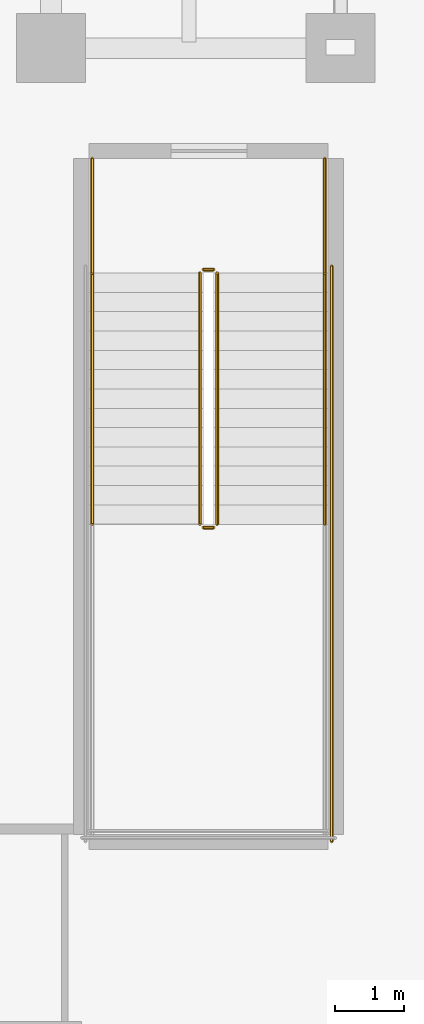
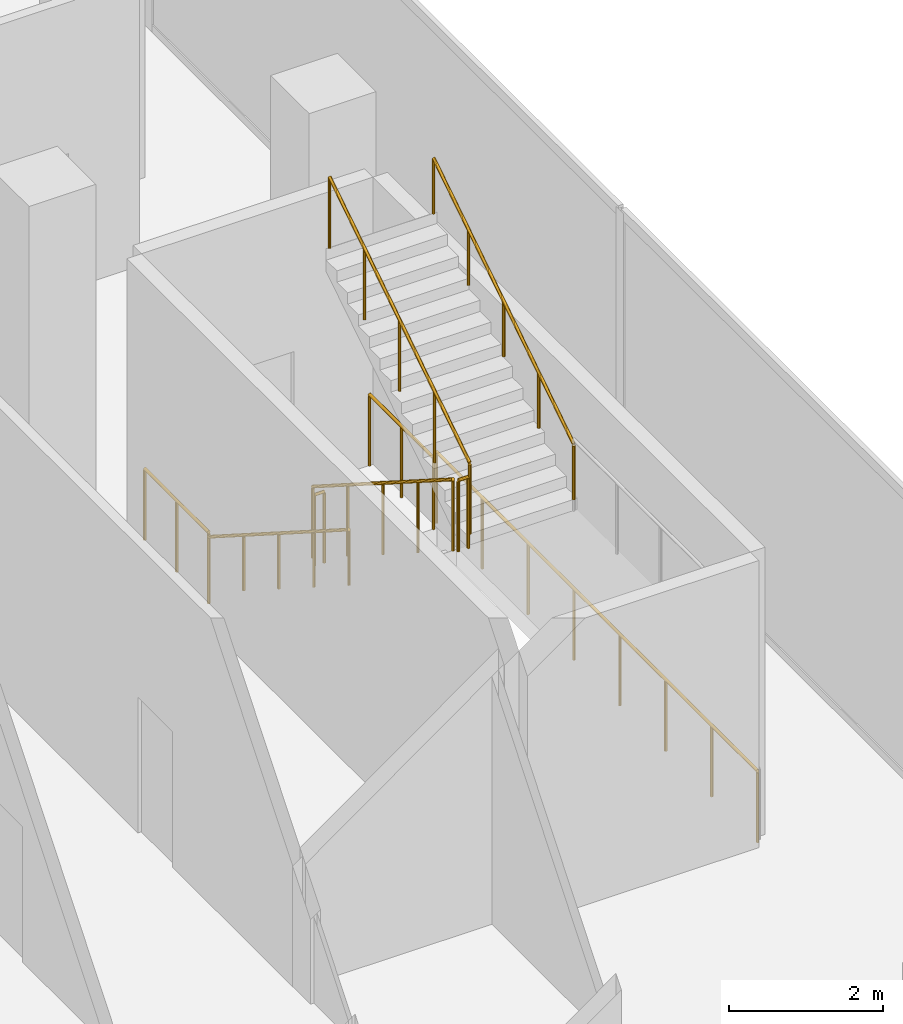
# One storey, part 31 of 32: 9 railings.
"""IFC4 building model written with IfcOpenShell, lengths in metres."""

import ifcopenshell
import ifcopenshell.guid

model = None  # the IFC model being written
_history = None  # IfcOwnerHistory: only IFC2X3 demands one
_inside = {}  # id of a spatial element -> (the spatial element, [elements in it])
_under = {}  # id of a project, library or spatial element -> (it, [spatial elements below it])
_declared = {}  # id of a project -> (the project, [libraries it declares])
_typed = {}  # id of a type object -> (the type object, [elements of that type])
_made_of = {}  # id of a material, layer set ... -> (it, [elements and type objects made of it])


def new_model(schema):
    """Start an empty IFC model of exactly this schema.

    Asked for "IFC4X3", IfcOpenShell would pick the latest addendum, in which some entities
    have other attributes; the version numbers below select the first issue.
    IFC2X3 requires an IfcOwnerHistory on every rooted entity: one is made here for all.
    """
    global model, _history
    if schema == "IFC4X3":
        model = ifcopenshell.file(schema_version=(4, 3, 0, 0))
    else:
        model = ifcopenshell.file(schema=schema)
    _inside.clear()
    _under.clear()
    _declared.clear()
    _typed.clear()
    _made_of.clear()
    _history = None
    if model.schema == "IFC2X3":
        org = make("IfcOrganization", Name="unknown")
        user = make(
            "IfcPersonAndOrganization",
            ThePerson=make("IfcPerson", FamilyName="unknown"),
            TheOrganization=org,
        )
        app = make(
            "IfcApplication",
            ApplicationDeveloper=org,
            Version="unknown",
            ApplicationFullName="unknown",
            ApplicationIdentifier="unknown",
        )
        _history = make(
            "IfcOwnerHistory",
            OwningUser=user,
            OwningApplication=app,
            ChangeAction="ADDED",
            CreationDate=0,
        )
    return model


def make(cls, **values):
    """One entity of the class cls with the attributes given. An attribute that is None is left unset."""
    return model.create_entity(
        cls, **{name: value for name, value in values.items() if value is not None}
    )


def rooted(cls, **values):
    """An entity with a GlobalId (a new one), such as an element, a storey or a relation."""
    return make(cls, GlobalId=ifcopenshell.guid.new(), OwnerHistory=_history, **values)


def si_unit(unit_type, name, prefix=None):
    """IfcSIUnit, for example si_unit("LENGTHUNIT", "METRE", prefix="MILLI")."""
    return make("IfcSIUnit", UnitType=unit_type, Prefix=prefix, Name=name)


def assignment(units):
    """IfcUnitAssignment: the units of a project."""
    return None if units is None else make("IfcUnitAssignment", Units=units)


def point(xyz):
    """IfcCartesianPoint."""
    return None if xyz is None else make("IfcCartesianPoint", Coordinates=xyz)


def direction(xyz):
    """IfcDirection."""
    return None if xyz is None else make("IfcDirection", DirectionRatios=xyz)


def frame(location, z_axis=None, x_axis=None):
    """IfcAxis2Placement3D, a coordinate frame: its origin and axes. An axis left out is left unset."""
    return make(
        "IfcAxis2Placement3D",
        Location=point(location),
        Axis=direction(z_axis),
        RefDirection=direction(x_axis),
    )


def frame_2d(location, x_axis=None):
    """IfcAxis2Placement2D, a coordinate frame in the plane: its origin and x axis."""
    return make(
        "IfcAxis2Placement2D", Location=point(location), RefDirection=direction(x_axis)
    )


def origin():
    """The frame at (0, 0, 0) with its axes left unset."""
    return frame((0.0, 0.0, 0.0))


def origin_2d():
    """The frame at (0, 0) in the plane with its x axis left unset."""
    return frame_2d((0.0, 0.0))


def place(relative_to, where):
    """IfcLocalPlacement: puts the frame where relative to a parent placement (None: the world)."""
    return make(
        "IfcLocalPlacement", PlacementRelTo=relative_to, RelativePlacement=where
    )


def context(
    kind, dimensions, precision=None, world=None, true_north=None, identifier=None
):
    """IfcGeometricRepresentationContext, for example the 3D "Model" context."""
    return make(
        "IfcGeometricRepresentationContext",
        ContextIdentifier=identifier,
        ContextType=kind,
        CoordinateSpaceDimension=dimensions,
        Precision=precision,
        WorldCoordinateSystem=world,
        TrueNorth=true_north,
    )


def subcontext(parent, identifier, kind, view, scale=None):
    """IfcGeometricRepresentationSubContext, for example "Body" below "Model"."""
    return make(
        "IfcGeometricRepresentationSubContext",
        ContextIdentifier=identifier,
        ContextType=kind,
        ParentContext=parent,
        TargetScale=scale,
        TargetView=view,
    )


def project(units=None, contexts=None):
    """IfcProject with its units and contexts."""
    return rooted(
        "IfcProject",
        Name="project",
        RepresentationContexts=contexts,
        UnitsInContext=assignment(units),
    )


def spatial(cls, under=None, at=None, **own):
    """A site, building, storey or space (cls), placed at a placement, below another one or the project."""
    s = rooted(cls, ObjectPlacement=at, **own)
    if under is not None:
        _under.setdefault(under.id(), (under, []))[1].append(s)
    return s


def profile(cls, at=None, kind="AREA", **sizes):
    """A parametric profile (cls). Its sizes go by their IFC names, for example OverallWidth=200.0."""
    return make(cls, ProfileType=kind, Position=at, **sizes)


def circle(**sizes):
    """IfcCircleProfileDef."""
    return profile("IfcCircleProfileDef", **sizes)


def extrude(swept, where, along, depth):
    """IfcExtrudedAreaSolid: the profile swept, set in the frame where, extruded along a direction by depth."""
    return make(
        "IfcExtrudedAreaSolid",
        SweptArea=swept,
        Position=where,
        ExtrudedDirection=direction(along),
        Depth=depth,
    )


def shape(context_of_items, identifier, shape_type, items):
    """IfcShapeRepresentation: the items that make up one representation, for example the "Body"."""
    return make(
        "IfcShapeRepresentation",
        ContextOfItems=context_of_items,
        RepresentationIdentifier=identifier,
        RepresentationType=shape_type,
        Items=items,
    )


def material(Name=None, Category=None):
    """IfcMaterial."""
    return make("IfcMaterial", Name=Name, Category=Category)


def made_of(thing, what):
    """Note that an element or type object is made of a material, layer set ...; save() writes the relation."""
    if what is not None:
        _made_of.setdefault(what.id(), (what, []))[1].append(thing)
    return thing


def type_object(cls, material=None, **own):
    """A type object (cls), such as IfcWallType, which elements share."""
    return made_of(rooted(cls, **own), material)


def element(
    cls,
    number,
    at=None,
    inside=None,
    cuts=None,
    type_object=None,
    material=None,
    context=None,
    identifier="Body",
    shape_type=None,
    held_by="IfcProductDefinitionShape",
    body=None,
    shapes=None,
    **own,
):
    """One element of the class cls, such as IfcWall. Its Tag is "e" and its number.

    at: its placement. inside: the storey or other place that contains it. cuts: it is an
    opening in that element (IfcRelVoidsElement). A single representation is given by context,
    identifier, shape_type and body (its items); several are given by shapes. held_by: the class
    of the entity that holds the representations. save() writes the other relations.
    """
    e = rooted(cls, Tag="e%d" % number, ObjectPlacement=at, **own)
    if body is not None:
        shapes = [shape(context, identifier, shape_type, body)]
    if shapes is not None:
        e.Representation = make(held_by, Representations=shapes)
    if inside is not None:
        _inside.setdefault(inside.id(), (inside, []))[1].append(e)
    if cuts is not None:
        rooted(
            "IfcRelVoidsElement", RelatingBuildingElement=cuts, RelatedOpeningElement=e
        )
    if type_object is not None:
        _typed.setdefault(type_object.id(), (type_object, []))[1].append(e)
    return made_of(e, material)


def aggregate(whole, parts):
    """IfcRelAggregates: a whole, such as a stair, and the parts it consists of."""
    return rooted("IfcRelAggregates", RelatingObject=whole, RelatedObjects=parts)


def save(model, path):
    """Write the relations noted so far, then the file.

    IfcRelAggregates (storeys below a building ...), IfcRelContainedInSpatialStructure (elements
    in a storey), IfcRelDefinesByType, IfcRelAssociatesMaterial and IfcRelDeclares: one each for
    every whole, place, type object, material and project.
    """
    for whole, parts in _under.values():
        aggregate(whole, parts)
    for where, things in _inside.values():
        rooted(
            "IfcRelContainedInSpatialStructure",
            RelatedElements=things,
            RelatingStructure=where,
        )
    for kind, things in _typed.values():
        rooted("IfcRelDefinesByType", RelatedObjects=things, RelatingType=kind)
    for what, things in _made_of.values():
        rooted("IfcRelAssociatesMaterial", RelatedObjects=things, RelatingMaterial=what)
    for by, libraries in _declared.values():
        rooted("IfcRelDeclares", RelatingContext=by, RelatedDefinitions=libraries)
    model.write(path)


model = new_model("IFC4")

# Units and contexts
model_context = context("Model", 3, precision=1e-05, world=origin(), true_north=direction((0.0, 1.0)))
body_context = subcontext(model_context, "Body", "Model", "MODEL_VIEW")
ifc_project = project(units=[si_unit("LENGTHUNIT", "METRE"), si_unit("AREAUNIT", "SQUARE_METRE"), si_unit("VOLUMEUNIT", "CUBIC_METRE"), si_unit("PLANEANGLEUNIT", "RADIAN"), si_unit("MASSUNIT", "GRAM", prefix="KILO")], contexts=[model_context])

# Site, building, storey
site_placement = place(None, origin())
site = spatial("IfcSite", under=ifc_project, at=site_placement, CompositionType="ELEMENT")
building_placement = place(site_placement, origin())
building = spatial("IfcBuilding", under=site, at=building_placement, Name="Khairoan Windgate Tower", CompositionType="ELEMENT")
storey_placement = place(building_placement, frame((0.0, 0.0, 16.0)))
storey = spatial("IfcBuildingStorey", under=building, at=storey_placement, Name="L04", CompositionType="ELEMENT", Elevation=16.0)

# Railings
ifc_material_1 = material(Name="Anodised Bronze Aluminium 6063-T6", Category="aluminium")
railing_type_1 = type_object("IfcRailingType", Name="Stair Wall Handrail SHR-900", PredefinedType="HANDRAIL", material=ifc_material_1)
railing_1_placement = place(storey_placement, frame((30.60009765625, -11.659912109375, 0.178466796875)))
element("IfcRailing", 1, at=railing_1_placement, inside=storey, type_object=railing_type_1, Name="L04 ST3 stair handrail 1", PredefinedType="HANDRAIL", context=body_context, shape_type="SweptSolid", body=[
    extrude(circle(Radius=0.02392578125, at=origin_2d()), frame((0.0, 0.0, 0.8759765625), z_axis=(0.0, -0.843127859045, 0.537713132908), x_axis=(1.0, 0.0, 0.0)), (0.0, 0.0, 1.0), 4.3173828125),
    extrude(circle(Radius=0.02099609375, at=origin_2d()), origin(), (0.0, 0.0, 1.0), 0.851806640625),
    extrude(circle(Radius=0.02099609375, at=origin_2d()), frame((0.0, -0.91015625, 0.580322265625)), (0.0, 0.0, 1.0), 0.851806640625),
    extrude(circle(Radius=0.02099609375, at=origin_2d()), frame((0.0, -1.820068359375, 1.16064453125)), (0.0, 0.0, 1.0), 0.851806640625),
    extrude(circle(Radius=0.02099609375, at=origin_2d()), frame((0.0, -2.72998046875, 1.7412109375)), (0.0, 0.0, 1.0), 0.851806640625),
    extrude(circle(Radius=0.02099609375, at=origin_2d()), frame((0.0, -3.64013671875, 2.321533203125)), (0.0, 0.0, 1.0), 0.851806640625),
])
railing_2_placement = place(storey_placement, frame((33.969970703125, -15.300048828125, 2.678466796875)))
element("IfcRailing", 2, at=railing_2_placement, inside=storey, type_object=railing_type_1, Name="L04 ST3 stair handrail 2", PredefinedType="HANDRAIL", context=body_context, shape_type="SweptSolid", body=[
    extrude(circle(Radius=0.02392578125, at=origin_2d()), frame((0.0, 0.0, 0.8759765625), z_axis=(0.0, 0.843127859045, 0.537713132908), x_axis=(-1.0, 0.0, 0.0)), (0.0, 0.0, 1.0), 4.3173828125),
    extrude(circle(Radius=0.02099609375, at=origin_2d()), origin(), (0.0, 0.0, 1.0), 0.851806640625),
    extrude(circle(Radius=0.02099609375, at=origin_2d()), frame((0.0, 0.91015625, 0.580322265625)), (0.0, 0.0, 1.0), 0.851806640625),
    extrude(circle(Radius=0.02099609375, at=origin_2d()), frame((0.0, 1.820068359375, 1.16064453125)), (0.0, 0.0, 1.0), 0.851806640625),
    extrude(circle(Radius=0.02099609375, at=origin_2d()), frame((0.0, 2.72998046875, 1.7412109375)), (0.0, 0.0, 1.0), 0.851806640625),
    extrude(circle(Radius=0.02099609375, at=origin_2d()), frame((0.0, 3.64013671875, 2.321533203125)), (0.0, 0.0, 1.0), 0.851806640625),
])
ifc_material_2 = material(Name="Steel S355", Category="steel")
railing_type_2 = type_object("IfcRailingType", Name="Stairwell Safety Guardrail SGR-1150", PredefinedType="GUARDRAIL", material=ifc_material_2)
railing_3_placement = place(storey_placement, frame((32.159912109375, -11.659912109375, 0.178466796875)))
element("IfcRailing", 3, at=railing_3_placement, inside=storey, type_object=railing_type_2, Name="L04 ST3 stair guard 1", PredefinedType="GUARDRAIL", context=body_context, shape_type="SweptSolid", body=[
    extrude(circle(Radius=0.02392578125, at=origin_2d()), frame((0.0, 0.0, 1.1259765625), z_axis=(0.0, -0.843127859045, 0.537713132908), x_axis=(1.0, 0.0, 0.0)), (0.0, 0.0, 1.0), 4.3173828125),
    extrude(circle(Radius=0.02099609375, at=origin_2d()), origin(), (0.0, 0.0, 1.0), 1.101806640625),
    extrude(circle(Radius=0.02099609375, at=origin_2d()), frame((0.0, -0.91015625, 0.580322265625)), (0.0, 0.0, 1.0), 1.101806640625),
    extrude(circle(Radius=0.02099609375, at=origin_2d()), frame((0.0, -1.820068359375, 1.16064453125)), (0.0, 0.0, 1.0), 1.101806640625),
    extrude(circle(Radius=0.02099609375, at=origin_2d()), frame((0.0, -2.72998046875, 1.7412109375)), (0.0, 0.0, 1.0), 1.101806640625),
    extrude(circle(Radius=0.02099609375, at=origin_2d()), frame((0.0, -3.64013671875, 2.321533203125)), (0.0, 0.0, 1.0), 1.101806640625),
])
railing_4_placement = place(storey_placement, frame((32.2099609375, -15.35009765625, 2.5)))
element("IfcRailing", 4, at=railing_4_placement, inside=storey, type_object=railing_type_2, Name="L04 ST3 stair guard 2", PredefinedType="GUARDRAIL", context=body_context, shape_type="SweptSolid", body=[
    extrude(circle(Radius=0.02392578125, at=origin_2d()), frame((0.0, 0.0, 1.1259765625), z_axis=(1.0, 0.0, 0.0), x_axis=(0.0, 1.0, 0.0)), (0.0, 0.0, 1.0), 0.150146484375),
    extrude(circle(Radius=0.02099609375, at=origin_2d()), origin(), (0.0, 0.0, 1.0), 1.101806640625),
    extrude(circle(Radius=0.02099609375, at=origin_2d()), frame((0.150146484375, 0.0, 0.0)), (0.0, 0.0, 1.0), 1.101806640625),
])
railing_5_placement = place(storey_placement, frame((32.409912109375, -15.300048828125, 2.678466796875)))
element("IfcRailing", 5, at=railing_5_placement, inside=storey, type_object=railing_type_2, Name="L04 ST3 stair guard 6", PredefinedType="GUARDRAIL", context=body_context, shape_type="SweptSolid", body=[
    extrude(circle(Radius=0.02392578125, at=origin_2d()), frame((0.0, 0.0, 1.1259765625), z_axis=(0.0, 0.843127859045, 0.537713132908), x_axis=(-1.0, 0.0, 0.0)), (0.0, 0.0, 1.0), 4.3173828125),
    extrude(circle(Radius=0.02099609375, at=origin_2d()), origin(), (0.0, 0.0, 1.0), 1.101806640625),
    extrude(circle(Radius=0.02099609375, at=origin_2d()), frame((0.0, 0.91015625, 0.580322265625)), (0.0, 0.0, 1.0), 1.101806640625),
    extrude(circle(Radius=0.02099609375, at=origin_2d()), frame((0.0, 1.820068359375, 1.16064453125)), (0.0, 0.0, 1.0), 1.101806640625),
    extrude(circle(Radius=0.02099609375, at=origin_2d()), frame((0.0, 2.72998046875, 1.7412109375)), (0.0, 0.0, 1.0), 1.101806640625),
    extrude(circle(Radius=0.02099609375, at=origin_2d()), frame((0.0, 3.64013671875, 2.321533203125)), (0.0, 0.0, 1.0), 1.101806640625),
])
railing_6_placement = place(storey_placement, frame((32.2099609375, -11.610107421875, 0.0)))
element("IfcRailing", 6, at=railing_6_placement, inside=storey, type_object=railing_type_2, Name="L04 ST3 stair guard 7", PredefinedType="GUARDRAIL", context=body_context, shape_type="SweptSolid", body=[
    extrude(circle(Radius=0.02392578125, at=origin_2d()), frame((0.0, 0.0, 1.1259765625), z_axis=(1.0, 0.0, 0.0), x_axis=(0.0, 1.0, 0.0)), (0.0, 0.0, 1.0), 0.150146484375),
    extrude(circle(Radius=0.02099609375, at=origin_2d()), origin(), (0.0, 0.0, 1.0), 1.101806640625),
    extrude(circle(Radius=0.02099609375, at=origin_2d()), frame((0.150146484375, 0.0, 0.0)), (0.0, 0.0, 1.0), 1.101806640625),
])
for number, where, name in (
    (7, (30.60009765625, -10.0, 0.0), "L04 ST3 stair guard 8"),
    (8, (33.969970703125, -10.0, 0.0), "L04 ST3 stair guard 9"),
):
    element("IfcRailing", number, at=place(storey_placement, frame(where)), inside=storey, type_object=railing_type_2, Name=name, PredefinedType="GUARDRAIL", context=body_context, shape_type="SweptSolid", body=[
        extrude(circle(Radius=0.02392578125, at=origin_2d()), frame((0.0, 0.0, 1.1259765625), z_axis=(0.0, -1.0, 0.0), x_axis=(1.0, 0.0, 0.0)), (0.0, 0.0, 1.0), 1.659912109375),
        extrude(circle(Radius=0.02099609375, at=origin_2d()), origin(), (0.0, 0.0, 1.0), 1.101806640625),
        extrude(circle(Radius=0.02099609375, at=origin_2d()), frame((0.0, -0.830078125, 0.0)), (0.0, 0.0, 1.0), 1.101806640625),
        extrude(circle(Radius=0.02099609375, at=origin_2d()), frame((0.0, -1.659912109375, 0.0)), (0.0, 0.0, 1.0), 1.101806640625),
    ])
railing_7_placement = place(storey_placement, frame((34.070068359375, -11.56005859375, 0.0)))
element("IfcRailing", 9, at=railing_7_placement, inside=storey, type_object=railing_type_2, Name="L04 ST3 stair guard 11", PredefinedType="GUARDRAIL", context=body_context, shape_type="SweptSolid", body=[
    extrude(circle(Radius=0.02392578125, at=origin_2d()), frame((0.0, 0.0, 1.1259765625), z_axis=(0.0, -1.0, 0.0), x_axis=(1.0, 0.0, 0.0)), (0.0, 0.0, 1.0), 8.33984375),
    extrude(circle(Radius=0.02099609375, at=origin_2d()), origin(), (0.0, 0.0, 1.0), 1.101806640625),
    extrude(circle(Radius=0.02099609375, at=origin_2d()), frame((0.0, -1.19140625, 0.0)), (0.0, 0.0, 1.0), 1.101806640625),
    extrude(circle(Radius=0.02099609375, at=origin_2d()), frame((0.0, -2.3828125, 0.0)), (0.0, 0.0, 1.0), 1.101806640625),
    extrude(circle(Radius=0.02099609375, at=origin_2d()), frame((0.0, -3.57421875, 0.0)), (0.0, 0.0, 1.0), 1.101806640625),
    extrude(circle(Radius=0.02099609375, at=origin_2d()), frame((0.0, -4.765625, 0.0)), (0.0, 0.0, 1.0), 1.101806640625),
    extrude(circle(Radius=0.02099609375, at=origin_2d()), frame((0.0, -5.95703125, 0.0)), (0.0, 0.0, 1.0), 1.101806640625),
    extrude(circle(Radius=0.02099609375, at=origin_2d()), frame((0.0, -7.1484375, 0.0)), (0.0, 0.0, 1.0), 1.101806640625),
    extrude(circle(Radius=0.02099609375, at=origin_2d()), frame((0.0, -8.33984375, 0.0)), (0.0, 0.0, 1.0), 1.101806640625),
])

save(model, "model.ifc")
